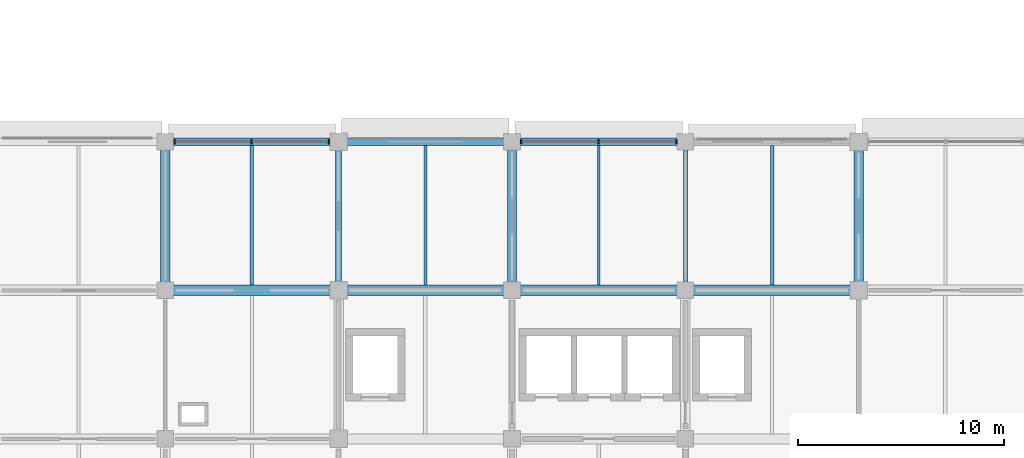
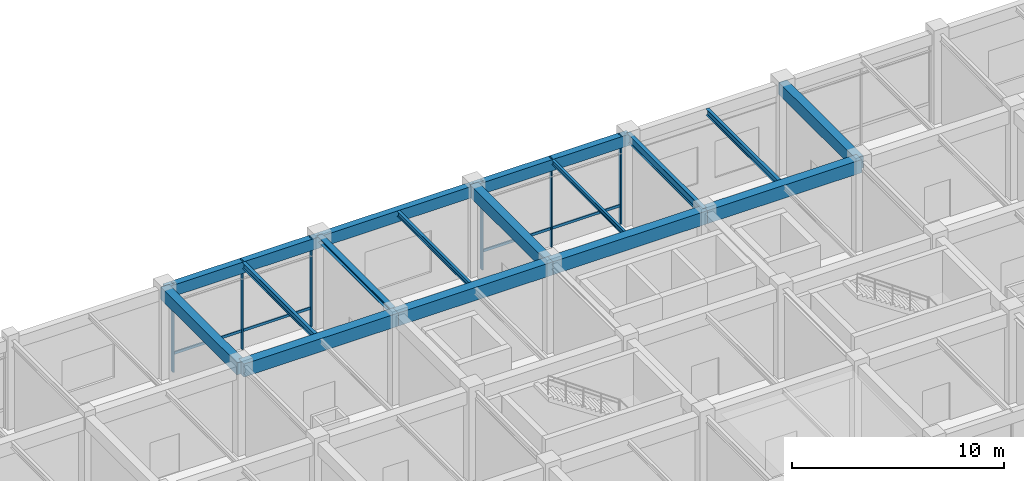
# One storey, part 12 of 38: 16 beams, 10 members, 2 elements without a shape of their own.
"""IFC4 building model written with IfcOpenShell, lengths in metres."""

from ifc_helpers import new_model, si_unit, derived_unit, direction, frame, origin, origin_2d, place, context, subcontext, project, spatial, rectangle, i_section, extrude, material, material_profile, profile_set, type_object, element, aggregate, save


model = new_model("IFC4")

# Units and contexts
model_context = context("Model", 3, precision=1e-05, world=origin(), true_north=direction((0.0, 1.0)))
body_context = subcontext(model_context, "Body", "Model", "MODEL_VIEW")
ifc_project = project(units=[si_unit("LENGTHUNIT", "METRE"), si_unit("AREAUNIT", "SQUARE_METRE"), si_unit("VOLUMEUNIT", "CUBIC_METRE"), si_unit("PLANEANGLEUNIT", "RADIAN"), si_unit("MASSUNIT", "GRAM", prefix="KILO"), derived_unit("THERMALTRANSMITTANCEUNIT", [(si_unit("MASSUNIT", "GRAM", prefix="KILO"), 1), (si_unit("TIMEUNIT", "SECOND"), -3), (si_unit("THERMODYNAMICTEMPERATUREUNIT", "KELVIN"), -1)])], contexts=[model_context])

# Site, building, storey
site_placement = place(None, origin())
site = spatial("IfcSite", under=ifc_project, at=site_placement, CompositionType="ELEMENT")
building_placement = place(site_placement, origin())
building = spatial("IfcBuilding", under=site, at=building_placement, Name="Veldstrom Oceanarium and Marine Research Institute", CompositionType="ELEMENT")
storey_placement = place(building_placement, frame((0.0, 0.0, 11.39990234375)))
storey = spatial("IfcBuildingStorey", under=building, at=storey_placement, Name="L02", CompositionType="ELEMENT", Elevation=11.39990234375)

# Curtain wall, members
ifc_material_1 = material(Name="Anodised Aluminium Framing", Category="aluminium")
curtain_wall_type = type_object("IfcCurtainWallType", Name="ARC-CW-CW02", PredefinedType="USERDEFINED", material=ifc_material_1)
curtain_wall_1_placement = place(storey_placement, origin())
curtain_wall_1 = element("IfcCurtainWall", 1, at=curtain_wall_1_placement, inside=storey, type_object=curtain_wall_type, Name="Curtain Wall CW02 CW-L02-030", ObjectType="Curtain wall", PredefinedType="USERDEFINED")
ifc_material_2 = material(Name="Anodised Aluminium Framing", Category="aluminium")
ifc_material_profile_1 = material_profile(ifc_material_2, rectangle(XDim=0.074951171875, YDim=0.179931640625, at=origin_2d()), Name="ALU-MUL-75x180")
ifc_profile_set_1 = profile_set([ifc_material_profile_1], Name="Anodised Aluminium Framing")
member_type_1 = type_object("IfcMemberType", Name="ARC-MUL-ML1", PredefinedType="MULLION", material=ifc_profile_set_1)
member_1_placement = place(storey_placement, frame((67.639892578125, 72.0, 0.0), z_axis=(0.0, 0.0, 1.0), x_axis=(1.0, 0.0, 0.0)))
member_1 = element("IfcMember", 2, at=member_1_placement, type_object=member_type_1, Name="Curtain Wall Mullion CW-L02-030-MUL-1", PredefinedType="MULLION", context=body_context, shape_type="SweptSolid", body=[
    extrude(rectangle(XDim=0.074951171875, YDim=0.179931640625, at=origin_2d()), origin(), (0.0, 0.0, 1.0), 5.10009765625),
])
member_2_placement = place(storey_placement, frame((71.387451171875, 72.0, 0.0), z_axis=(0.0, 0.0, 1.0), x_axis=(1.0, 0.0, 0.0)))
member_2 = element("IfcMember", 3, at=member_2_placement, type_object=member_type_1, Name="Curtain Wall Mullion CW-L02-030-MUL-2", PredefinedType="MULLION", context=body_context, shape_type="SweptSolid", body=[
    extrude(rectangle(XDim=0.074951171875, YDim=0.179931640625, at=origin_2d()), origin(), (0.0, 0.0, 1.0), 5.10009765625),
])
member_3_placement = place(storey_placement, frame((75.135009765625, 72.0, 0.0), z_axis=(0.0, 0.0, 1.0), x_axis=(1.0, 0.0, 0.0)))
member_3 = element("IfcMember", 4, at=member_3_placement, type_object=member_type_1, Name="Curtain Wall Mullion CW-L02-030-MUL-3", PredefinedType="MULLION", context=body_context, shape_type="SweptSolid", body=[
    extrude(rectangle(XDim=0.074951171875, YDim=0.179931640625, at=origin_2d()), origin(), (0.0, 0.0, 1.0), 5.10009765625),
])

curtain_wall_2_placement = place(storey_placement, origin())
curtain_wall_2 = element("IfcCurtainWall", 5, at=curtain_wall_2_placement, inside=storey, type_object=curtain_wall_type, Name="Curtain Wall CW02 CW-L02-032", ObjectType="Curtain wall", PredefinedType="USERDEFINED")
member_4_placement = place(storey_placement, frame((84.43994140625, 72.0, 0.0), z_axis=(0.0, 0.0, 1.0), x_axis=(1.0, 0.0, 0.0)))
member_4 = element("IfcMember", 6, at=member_4_placement, type_object=member_type_1, Name="Curtain Wall Mullion CW-L02-032-MUL-1", PredefinedType="MULLION", context=body_context, shape_type="SweptSolid", body=[
    extrude(rectangle(XDim=0.074951171875, YDim=0.179931640625, at=origin_2d()), origin(), (0.0, 0.0, 1.0), 5.10009765625),
])
member_5_placement = place(storey_placement, frame((88.199951171875, 72.0, 0.0), z_axis=(0.0, 0.0, 1.0), x_axis=(1.0, 0.0, 0.0)))
member_5 = element("IfcMember", 7, at=member_5_placement, type_object=member_type_1, Name="Curtain Wall Mullion CW-L02-032-MUL-2", PredefinedType="MULLION", context=body_context, shape_type="SweptSolid", body=[
    extrude(rectangle(XDim=0.074951171875, YDim=0.179931640625, at=origin_2d()), origin(), (0.0, 0.0, 1.0), 5.10009765625),
])
member_6_placement = place(storey_placement, frame((91.9599609375, 72.0, 0.0), z_axis=(0.0, 0.0, 1.0), x_axis=(1.0, 0.0, 0.0)))
member_6 = element("IfcMember", 8, at=member_6_placement, type_object=member_type_1, Name="Curtain Wall Mullion CW-L02-032-MUL-3", PredefinedType="MULLION", context=body_context, shape_type="SweptSolid", body=[
    extrude(rectangle(XDim=0.074951171875, YDim=0.179931640625, at=origin_2d()), origin(), (0.0, 0.0, 1.0), 5.10009765625),
])

# Member
ifc_material_3 = material(Name="Anodised Aluminium Framing", Category="aluminium")
ifc_material_profile_2 = material_profile(ifc_material_3, rectangle(XDim=0.074951171875, YDim=0.14990234375, at=origin_2d()), Name="ALU-TRN-75x150")
ifc_profile_set_2 = profile_set([ifc_material_profile_2], Name="Anodised Aluminium Framing")
member_type_2 = type_object("IfcMemberType", Name="ARC-TRN-TR1", PredefinedType="USERDEFINED", material=ifc_profile_set_2)
member_7_placement = place(storey_placement, frame((67.679931640625, 72.0, 1.050048828125), z_axis=(1.0, 0.0, 0.0), x_axis=(0.0, 1.0, 0.0)))
member_7 = element("IfcMember", 9, at=member_7_placement, type_object=member_type_2, Name="Curtain Wall Transom CW-L02-030-TRN-1", ObjectType="Transom", PredefinedType="USERDEFINED", context=body_context, shape_type="SweptSolid", body=[
    extrude(rectangle(XDim=0.074951171875, YDim=0.14990234375, at=origin_2d()), origin(), (0.0, 0.0, 1.0), 3.66748046875),
])

member_8_placement = place(storey_placement, frame((71.427490234375, 72.0, 1.050048828125), z_axis=(1.0, 0.0, 0.0), x_axis=(0.0, 1.0, 0.0)))
member_8 = element("IfcMember", 10, at=member_8_placement, type_object=member_type_2, Name="Curtain Wall Transom CW-L02-030-TRN-2", ObjectType="Transom", PredefinedType="USERDEFINED", context=body_context, shape_type="SweptSolid", body=[
    extrude(rectangle(XDim=0.074951171875, YDim=0.14990234375, at=origin_2d()), origin(), (0.0, 0.0, 1.0), 3.66748046875),
])

aggregate(curtain_wall_1, [member_1, member_2, member_3, member_7, member_8])

member_9_placement = place(storey_placement, frame((84.47998046875, 72.0, 1.050048828125), z_axis=(1.0, 0.0, 0.0), x_axis=(0.0, 1.0, 0.0)))
member_9 = element("IfcMember", 11, at=member_9_placement, type_object=member_type_2, Name="Curtain Wall Transom CW-L02-032-TRN-1", ObjectType="Transom", PredefinedType="USERDEFINED", context=body_context, shape_type="SweptSolid", body=[
    extrude(rectangle(XDim=0.074951171875, YDim=0.14990234375, at=origin_2d()), origin(), (0.0, 0.0, 1.0), 3.679931640625),
])

member_10_placement = place(storey_placement, frame((88.239990234375, 72.0, 1.050048828125), z_axis=(1.0, 0.0, 0.0), x_axis=(0.0, 1.0, 0.0)))
member_10 = element("IfcMember", 12, at=member_10_placement, type_object=member_type_2, Name="Curtain Wall Transom CW-L02-032-TRN-2", ObjectType="Transom", PredefinedType="USERDEFINED", context=body_context, shape_type="SweptSolid", body=[
    extrude(rectangle(XDim=0.074951171875, YDim=0.14990234375, at=origin_2d()), origin(), (0.0, 0.0, 1.0), 3.679931640625),
])

aggregate(curtain_wall_2, [member_4, member_5, member_6, member_9, member_10])

# Beams
ifc_material_4 = material(Name="Concrete C40/50", Category="concrete")
ifc_material_profile_3 = material_profile(ifc_material_4, rectangle(XDim=0.5, YDim=0.75, at=origin_2d()), Name="RC-BM-500x750")
ifc_profile_set_3 = profile_set([ifc_material_profile_3], Name="Concrete C40/50")
beam_type_1 = type_object("IfcBeamType", Name="STR-BM-B03", PredefinedType="BEAM", material=ifc_profile_set_3)
beam_1_placement = place(storey_placement, frame((67.199951171875, 64.800048828125, 4.72021484375), z_axis=(1.0, 0.0, 0.0), x_axis=(0.0, 1.0, 0.0)))
element("IfcBeam", 13, at=beam_1_placement, inside=storey, type_object=beam_type_1, Name="Primary Beam B03 L02-1555", PredefinedType="BEAM", context=body_context, shape_type="SweptSolid", body=[
    extrude(rectangle(XDim=0.5, YDim=0.75, at=origin_2d()), origin(), (0.0, 0.0, 1.0), 8.400146484375),
])
for number, where, z_axis, x_axis, name in (
    (14, (75.60009765625, 64.800048828125, 4.72021484375), (1.0, 0.0, 0.0), (0.0, 1.0, 0.0), "Primary Beam B03 L02-1560"),
    (15, (84.0, 64.800048828125, 4.72021484375), (1.0, 0.0, 0.0), (0.0, 1.0, 0.0), "Primary Beam B03 L02-1565"),
):
    element("IfcBeam", number, at=place(storey_placement, frame(where, z_axis=z_axis, x_axis=x_axis)), inside=storey, type_object=beam_type_1, Name=name, PredefinedType="BEAM", context=body_context, shape_type="SweptSolid", body=[
        extrude(rectangle(XDim=0.5, YDim=0.75, at=origin_2d()), origin(), (0.0, 0.0, 1.0), 8.39990234375),
    ])
beam_2_placement = place(storey_placement, frame((92.39990234375, 64.800048828125, 4.72021484375), z_axis=(1.0, 0.0, 0.0), x_axis=(0.0, 1.0, 0.0)))
element("IfcBeam", 16, at=beam_2_placement, inside=storey, type_object=beam_type_1, Name="Primary Beam B03 L02-1570", PredefinedType="BEAM", context=body_context, shape_type="SweptSolid", body=[
    extrude(rectangle(XDim=0.5, YDim=0.75, at=origin_2d()), origin(), (0.0, 0.0, 1.0), 8.400146484375),
])
ifc_material_5 = material(Name="Concrete C40/50", Category="concrete")
ifc_material_profile_4 = material_profile(ifc_material_5, rectangle(XDim=0.449951171875, YDim=0.699951171875, at=origin_2d()), Name="RC-BM-450x700")
ifc_profile_set_4 = profile_set([ifc_material_profile_4], Name="Concrete C40/50")
beam_type_2 = type_object("IfcBeamType", Name="STR-BM-B04", PredefinedType="BEAM", material=ifc_profile_set_4)
for number, where, z_axis, x_axis, name in (
    (17, (67.199951171875, 64.800048828125, 4.7451171875), (0.0, 1.0, 0.0), (-1.0, 0.0, 0.0), "Primary Beam B04 L02-1684"),
    (18, (84.0, 64.800048828125, 4.7451171875), (0.0, 1.0, 0.0), (-1.0, 0.0, 0.0), "Primary Beam B04 L02-1692"),
    (19, (100.800048828125, 64.800048828125, 4.7451171875), (0.0, 1.0, 0.0), (-1.0, 0.0, 0.0), "Primary Beam B04 L02-1700"),
):
    element("IfcBeam", number, at=place(storey_placement, frame(where, z_axis=z_axis, x_axis=x_axis)), inside=storey, type_object=beam_type_2, Name=name, PredefinedType="BEAM", context=body_context, shape_type="SweptSolid", body=[
        extrude(rectangle(XDim=0.449951171875, YDim=0.699951171875, at=origin_2d()), origin(), (0.0, 0.0, 1.0), 7.199951171875),
    ])
ifc_material_6 = material(Name="Steel S355JR", Category="steel")
ifc_material_profile_5 = material_profile(ifc_material_6, i_section(OverallWidth=0.300048828125, OverallDepth=0.2900390625, WebThickness=0.008544921875, FlangeThickness=0.013916015625, FilletRadius=0.027099609375, at=origin_2d()), Name="HEA 300")
ifc_profile_set_5 = profile_set([ifc_material_profile_5], Name="Steel S355JR")
beam_type_3 = type_object("IfcBeamType", Name="STR-BM-SB10", PredefinedType="BEAM", material=ifc_profile_set_5)
beam_3_placement = place(storey_placement, frame((75.60009765625, 64.800048828125, 4.9501953125), z_axis=(0.0, 1.0, 0.0), x_axis=(-1.0, 0.0, 0.0)))
element("IfcBeam", 20, at=beam_3_placement, inside=storey, type_object=beam_type_3, Name="Steel Tie Beam SB10 L02-1688", PredefinedType="BEAM", context=body_context, shape_type="SweptSolid", body=[
    extrude(i_section(OverallWidth=0.300048828125, OverallDepth=0.2900390625, WebThickness=0.008544921875, FlangeThickness=0.013916015625, FilletRadius=0.027099609375, at=origin_2d()), origin(), (0.0, 0.0, 1.0), 7.199951171875),
])
ifc_material_7 = material(Name="Steel S355JR", Category="steel")
ifc_material_profile_6 = material_profile(ifc_material_7, i_section(OverallWidth=0.199951171875, OverallDepth=0.5, WebThickness=0.01025390625, FlangeThickness=0.01611328125, FilletRadius=0.02099609375, at=origin_2d()), Name="IPE 500")
ifc_profile_set_6 = profile_set([ifc_material_profile_6], Name="Steel S355JR")
beam_type_4 = type_object("IfcBeamType", Name="STR-BM-SB6", PredefinedType="BEAM", material=ifc_profile_set_6)
beam_4_placement = place(storey_placement, frame((92.39990234375, 64.800048828125, 4.84521484375), z_axis=(0.0, 1.0, 0.0), x_axis=(-1.0, 0.0, 0.0)))
element("IfcBeam", 21, at=beam_4_placement, inside=storey, type_object=beam_type_4, Name="Steel Tie Beam SB6 L02-1696", PredefinedType="BEAM", context=body_context, shape_type="SweptSolid", body=[
    extrude(i_section(OverallWidth=0.199951171875, OverallDepth=0.5, WebThickness=0.01025390625, FlangeThickness=0.01611328125, FilletRadius=0.02099609375, at=origin_2d()), origin(), (0.0, 0.0, 1.0), 7.199951171875),
])
ifc_material_8 = material(Name="Steel S355JR", Category="steel")
ifc_material_profile_7 = material_profile(ifc_material_8, i_section(OverallWidth=0.169921875, OverallDepth=0.360107421875, WebThickness=0.008056640625, FlangeThickness=0.0126953125, FilletRadius=0.01806640625, at=origin_2d()), Name="IPE 360")
ifc_profile_set_7 = profile_set([ifc_material_profile_7], Name="Steel S355JR")
beam_type_5 = type_object("IfcBeamType", Name="STR-JST-SJ1", PredefinedType="JOIST", material=ifc_profile_set_7)
for number, where, z_axis, x_axis, name in (
    (22, (71.39990234375, 65.050048828125, 4.9150390625), (0.0, 1.0, 0.0), (-1.0, 0.0, 0.0), "Secondary Joist SJ1 L02-1793"),
    (23, (96.60009765625, 65.050048828125, 4.9150390625), (0.0, 1.0, 0.0), (-1.0, 0.0, 0.0), "Secondary Joist SJ1 L02-1802"),
):
    element("IfcBeam", number, at=place(storey_placement, frame(where, z_axis=z_axis, x_axis=x_axis)), inside=storey, type_object=beam_type_5, Name=name, PredefinedType="JOIST", context=body_context, shape_type="SweptSolid", body=[
        extrude(i_section(OverallWidth=0.169921875, OverallDepth=0.360107421875, WebThickness=0.008056640625, FlangeThickness=0.0126953125, FilletRadius=0.01806640625, at=origin_2d()), origin(), (0.0, 0.0, 1.0), 6.77490234375),
    ])
ifc_material_9 = material(Name="Steel S355JR", Category="steel")
ifc_material_profile_8 = material_profile(ifc_material_9, i_section(OverallWidth=0.14990234375, OverallDepth=0.300048828125, WebThickness=0.007080078125, FlangeThickness=0.0107421875, FilletRadius=0.014892578125, at=origin_2d()), Name="IPE 300")
ifc_profile_set_8 = profile_set([ifc_material_profile_8], Name="Steel S355JR")
beam_type_6 = type_object("IfcBeamType", Name="STR-JST-SJ2", PredefinedType="JOIST", material=ifc_profile_set_8)
beam_5_placement = place(storey_placement, frame((79.800048828125, 65.050048828125, 4.945068359375), z_axis=(0.0, 1.0, 0.0), x_axis=(-1.0, 0.0, 0.0)))
element("IfcBeam", 24, at=beam_5_placement, inside=storey, type_object=beam_type_6, Name="Secondary Joist SJ2 L02-1796", PredefinedType="JOIST", context=body_context, shape_type="SweptSolid", body=[
    extrude(i_section(OverallWidth=0.14990234375, OverallDepth=0.300048828125, WebThickness=0.007080078125, FlangeThickness=0.0107421875, FilletRadius=0.014892578125, at=origin_2d()), origin(), (0.0, 0.0, 1.0), 6.77490234375),
])
ifc_material_10 = material(Name="Steel S355JR", Category="steel")
ifc_material_profile_9 = material_profile(ifc_material_10, i_section(OverallWidth=0.135009765625, OverallDepth=0.27001953125, WebThickness=0.006591796875, FlangeThickness=0.01025390625, FilletRadius=0.014892578125, at=origin_2d()), Name="IPE 270")
ifc_profile_set_9 = profile_set([ifc_material_profile_9], Name="Steel S355JR")
beam_type_7 = type_object("IfcBeamType", Name="STR-JST-SJ3", PredefinedType="JOIST", material=ifc_profile_set_9)
beam_6_placement = place(storey_placement, frame((88.199951171875, 65.050048828125, 4.960205078125), z_axis=(0.0, 1.0, 0.0), x_axis=(-1.0, 0.0, 0.0)))
element("IfcBeam", 25, at=beam_6_placement, inside=storey, type_object=beam_type_7, Name="Secondary Joist SJ3 L02-1799", PredefinedType="JOIST", context=body_context, shape_type="SweptSolid", body=[
    extrude(i_section(OverallWidth=0.135009765625, OverallDepth=0.27001953125, WebThickness=0.006591796875, FlangeThickness=0.01025390625, FilletRadius=0.014892578125, at=origin_2d()), origin(), (0.0, 0.0, 1.0), 6.77490234375),
])
ifc_material_11 = material(Name="Concrete C40/50", Category="concrete")
ifc_material_profile_10 = material_profile(ifc_material_11, rectangle(XDim=0.35009765625, YDim=0.64990234375, at=origin_2d()), Name="RC-SPN-350x650")
ifc_profile_set_10 = profile_set([ifc_material_profile_10], Name="Concrete C40/50")
beam_type_8 = type_object("IfcBeamType", Name="STR-SPN-SP1", PredefinedType="SPANDREL", material=ifc_profile_set_10)
beam_7_placement = place(storey_placement, frame((67.199951171875, 72.0, 4.77001953125), z_axis=(1.0, 0.0, 0.0), x_axis=(0.0, 1.0, 0.0)))
element("IfcBeam", 26, at=beam_7_placement, inside=storey, type_object=beam_type_8, Name="Perimeter Spandrel SPB1 L02-1556", PredefinedType="SPANDREL", context=body_context, shape_type="SweptSolid", body=[
    extrude(rectangle(XDim=0.35009765625, YDim=0.64990234375, at=origin_2d()), origin(), (0.0, 0.0, 1.0), 8.400146484375),
])
for number, where, z_axis, x_axis, name in (
    (27, (75.60009765625, 72.0, 4.77001953125), (1.0, 0.0, 0.0), (0.0, 1.0, 0.0), "Perimeter Spandrel SPB1 L02-1561"),
    (28, (84.0, 72.0, 4.77001953125), (1.0, 0.0, 0.0), (0.0, 1.0, 0.0), "Perimeter Spandrel SPB1 L02-1566"),
):
    element("IfcBeam", number, at=place(storey_placement, frame(where, z_axis=z_axis, x_axis=x_axis)), inside=storey, type_object=beam_type_8, Name=name, PredefinedType="SPANDREL", context=body_context, shape_type="SweptSolid", body=[
        extrude(rectangle(XDim=0.35009765625, YDim=0.64990234375, at=origin_2d()), origin(), (0.0, 0.0, 1.0), 8.39990234375),
    ])

save(model, "model.ifc")
